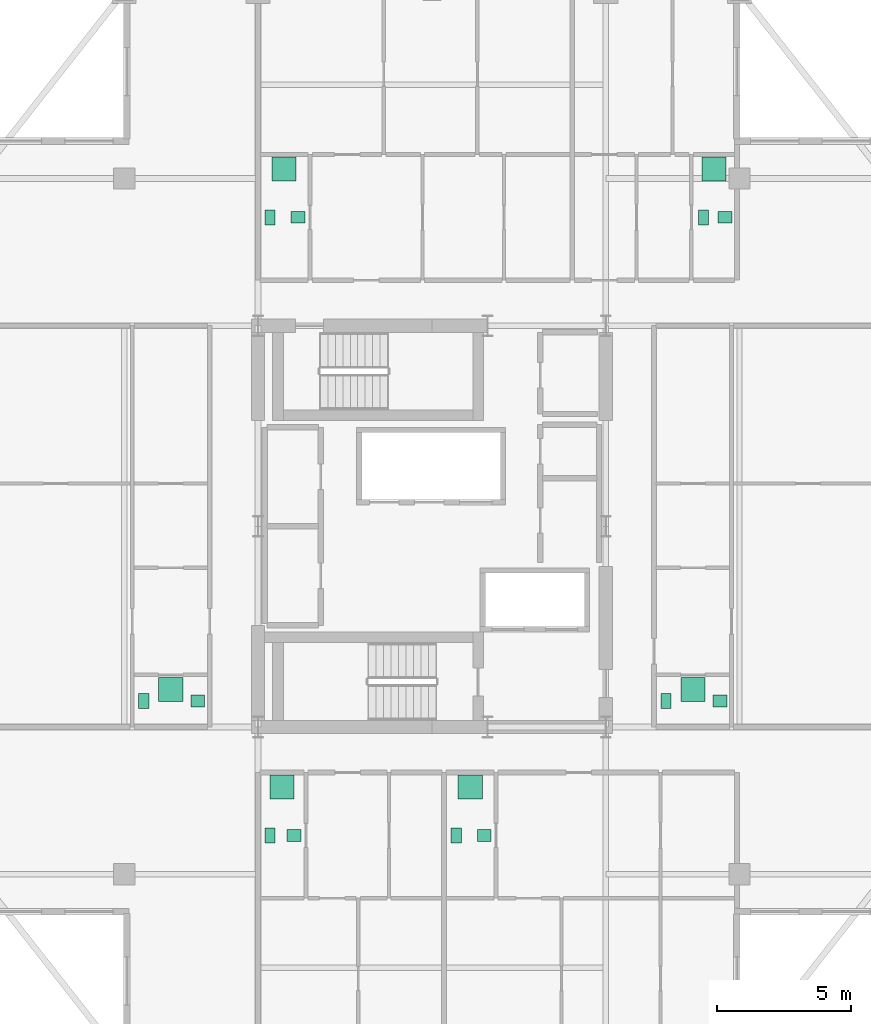
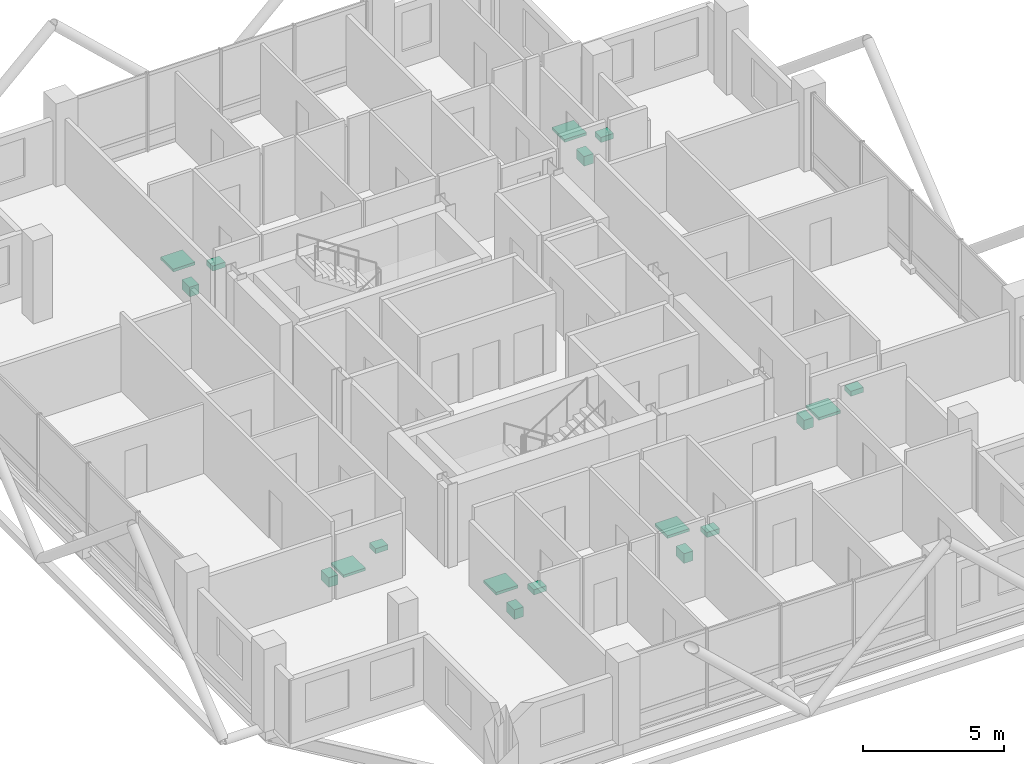
# One storey, part 25 of 25: 18 sanitary terminals.
"""IFC4 building model written with IfcOpenShell, lengths in metres."""

from ifc_helpers import new_model, si_unit, direction, frame, origin, origin_2d, place, context, subcontext, project, spatial, rectangle, extrude, material, type_object, element, save


model = new_model("IFC4")

# Units and contexts
model_context = context("Model", 3, precision=1e-05, world=origin(), true_north=direction((0.0, 1.0)))
body_context = subcontext(model_context, "Body", "Model", "MODEL_VIEW")
ifc_project = project(units=[si_unit("LENGTHUNIT", "METRE"), si_unit("AREAUNIT", "SQUARE_METRE"), si_unit("VOLUMEUNIT", "CUBIC_METRE"), si_unit("PLANEANGLEUNIT", "RADIAN"), si_unit("MASSUNIT", "GRAM", prefix="KILO")], contexts=[model_context])

# Site, building, storey
site_placement = place(None, origin())
site = spatial("IfcSite", under=ifc_project, at=site_placement, CompositionType="ELEMENT")
building_placement = place(site_placement, origin())
building = spatial("IfcBuilding", under=site, at=building_placement, Name="Barlavira Tower and Art Museum", CompositionType="ELEMENT")
storey_placement = place(building_placement, frame((0.0, 0.0, 229.5)))
storey = spatial("IfcBuildingStorey", under=building, at=storey_placement, Name="L59", CompositionType="ELEMENT", Elevation=229.5)

# Sanitary terminals
ifc_material = material(Name="Vitreous glazed ceramic", Category="ceramic")
sanitary_terminal_type_1 = type_object("IfcSanitaryTerminalType", Name="Countertop Ceramic Wash Hand Basin", PredefinedType="WASHHANDBASIN", material=ifc_material)
for number, where, z_axis, x_axis, name in (
    (1, (-5.14990234375, -11.550048828125, 0.740234375), (0.0, 0.0, 1.0), (1.0, 0.0, 0.0), "L59-S1-BTH1 Wash Basin"),
    (2, (1.9599609375, -11.550048828125, 0.740234375), (0.0, 0.0, 1.0), (1.0, 0.0, 0.0), "L59-S2-BTH1 Wash Basin"),
    (3, (-5.0, 11.550048828125, 0.740234375), (0.0, 0.0, 1.0), (1.0, 0.0, 0.0), "L59-N1-BTH1 Wash Basin"),
    (4, (10.949951171875, 11.550048828125, 0.740234375), (0.0, 0.0, 1.0), (1.0, 0.0, 0.0), "L59-N2-BTH1 Wash Basin"),
    (5, (-8.75, -6.52490234375, 0.740234375), (0.0, 0.0, 1.0), (1.0, 0.0, 0.0), "L59-W1-BTH1 Wash Basin"),
    (6, (10.77001953125, -6.52490234375, 0.740234375), (0.0, 0.0, 1.0), (1.0, 0.0, 0.0), "L59-E1-BTH1 Wash Basin"),
):
    element("IfcSanitaryTerminal", number, at=place(storey_placement, frame(where, z_axis=z_axis, x_axis=x_axis)), inside=storey, type_object=sanitary_terminal_type_1, Name=name, PredefinedType="WASHHANDBASIN", context=body_context, shape_type="SweptSolid", body=[
        extrude(rectangle(XDim=0.52001953125, YDim=0.43994140625, at=origin_2d()), origin(), (0.0, 0.0, 1.0), 0.219970703125),
    ])
sanitary_terminal_type_2 = type_object("IfcSanitaryTerminalType", Name="Walk-In Thermostatic Rain Shower Unit", PredefinedType="SHOWER", material=ifc_material)
for number, where, z_axis, x_axis, name in (
    (7, (-5.60009765625, -9.75, 0.0), (0.0, 0.0, 1.0), (1.0, 0.0, 0.0), "L59-S1-BTH1 Rain Shower"),
    (8, (1.43505859375, -9.75, 0.0), (0.0, 0.0, 1.0), (1.0, 0.0, 0.0), "L59-S2-BTH1 Rain Shower"),
    (9, (-5.52490234375, 13.35009765625, 0.0), (0.0, 0.0, 1.0), (1.0, 0.0, 0.0), "L59-N1-BTH1 Rain Shower"),
    (10, (10.550048828125, 13.35009765625, 0.0), (0.0, 0.0, 1.0), (1.0, 0.0, 0.0), "L59-N2-BTH1 Rain Shower"),
    (11, (-9.760009765625, -6.10009765625, 0.0), (0.0, 0.0, 1.0), (1.0, 0.0, 0.0), "L59-W1-BTH1 Rain Shower"),
    (12, (9.760009765625, -6.10009765625, 0.0), (0.0, 0.0, 1.0), (1.0, 0.0, 0.0), "L59-E1-BTH1 Rain Shower"),
):
    element("IfcSanitaryTerminal", number, at=place(storey_placement, frame(where, z_axis=z_axis, x_axis=x_axis)), inside=storey, type_object=sanitary_terminal_type_2, Name=name, PredefinedType="SHOWER", context=body_context, shape_type="SweptSolid", body=[
        extrude(rectangle(XDim=0.89990234375, YDim=0.89990234375, at=origin_2d()), origin(), (0.0, 0.0, 1.0), 0.1201171875),
    ])
sanitary_terminal_type_3 = type_object("IfcSanitaryTerminalType", Name="Wall-Hung Dual-Flush Vitreous WC Pan", PredefinedType="TOILETPAN", material=ifc_material)
for number, where, z_axis, x_axis, name in (
    (13, (-6.050048828125, -11.550048828125, 0.0), (0.0, 0.0, 1.0), (1.0, 0.0, 0.0), "L59-S1-BTH1 WC Pan"),
    (14, (0.909912109375, -11.550048828125, 0.0), (0.0, 0.0, 1.0), (1.0, 0.0, 0.0), "L59-S2-BTH1 WC Pan"),
    (15, (-6.050048828125, 11.550048828125, 0.0), (0.0, 0.0, 1.0), (1.0, 0.0, 0.0), "L59-N1-BTH1 WC Pan"),
    (16, (10.14990234375, 11.550048828125, 0.0), (0.0, 0.0, 1.0), (1.0, 0.0, 0.0), "L59-N2-BTH1 WC Pan"),
    (17, (-10.77001953125, -6.52490234375, 0.0), (0.0, 0.0, 1.0), (1.0, 0.0, 0.0), "L59-W1-BTH1 WC Pan"),
    (18, (8.75, -6.52490234375, 0.0), (0.0, 0.0, 1.0), (1.0, 0.0, 0.0), "L59-E1-BTH1 WC Pan"),
):
    element("IfcSanitaryTerminal", number, at=place(storey_placement, frame(where, z_axis=z_axis, x_axis=x_axis)), inside=storey, type_object=sanitary_terminal_type_3, Name=name, PredefinedType="TOILETPAN", context=body_context, shape_type="SweptSolid", body=[
        extrude(rectangle(XDim=0.3798828125, YDim=0.56005859375, at=origin_2d()), origin(), (0.0, 0.0, 1.0), 0.419921875),
    ])

save(model, "model.ifc")
